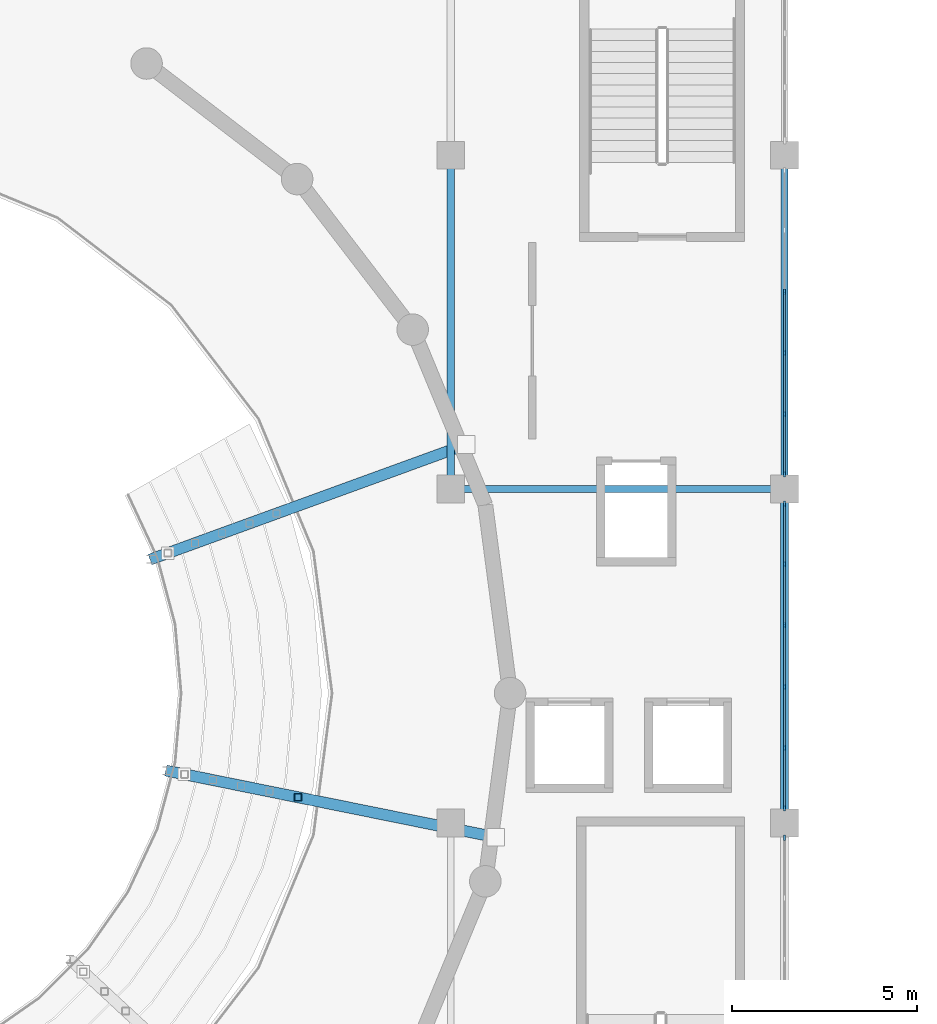
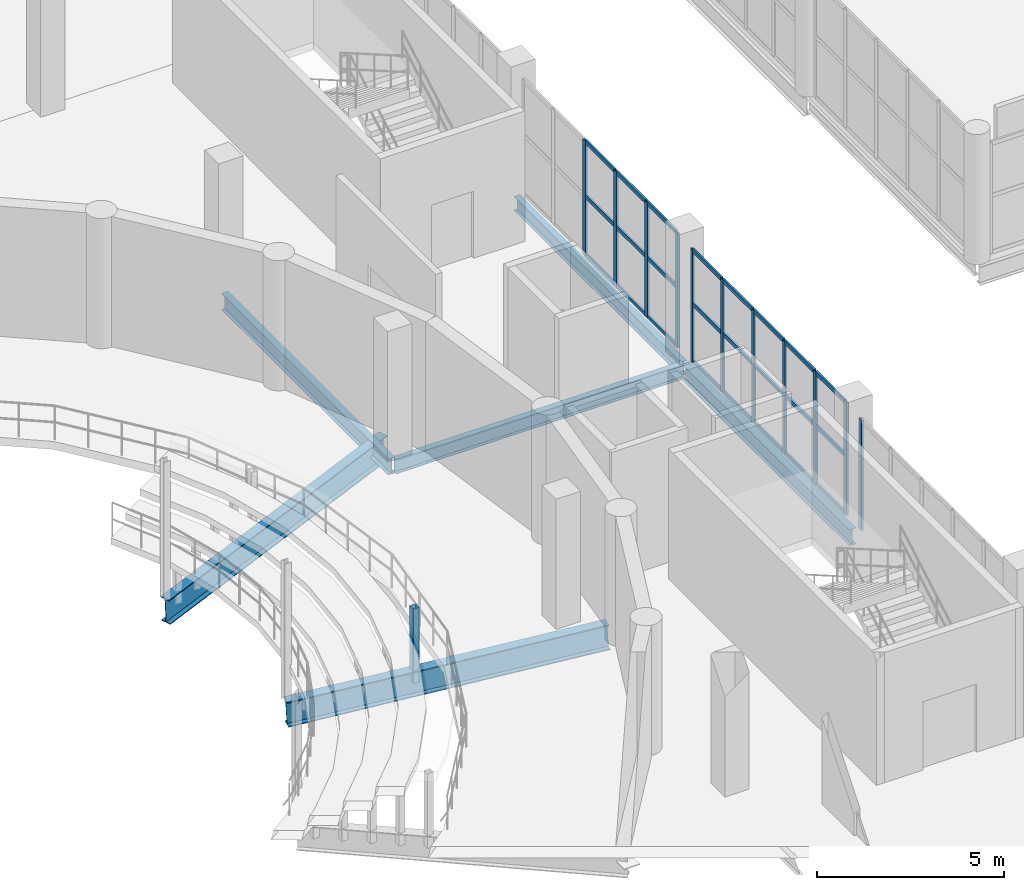
# One storey, part 36 of 85: 36 members, 6 beams, 3 elements without a shape of their own.
"""IFC4 building model written with IfcOpenShell, lengths in metres."""

from ifc_helpers import new_model, si_unit, direction, frame, origin, origin_2d, place, context, subcontext, project, spatial, rectangle, hollow_rectangle, i_section, extrude, material, layer, layer_set, material_profile, profile_set, type_object, element, aggregate, save


model = new_model("IFC4")

# Units and contexts
model_context = context("Model", 3, precision=1e-05, world=origin(), true_north=direction((0.0, 1.0)))
body_context = subcontext(model_context, "Body", "Model", "MODEL_VIEW")
ifc_project = project(units=[si_unit("LENGTHUNIT", "METRE"), si_unit("AREAUNIT", "SQUARE_METRE"), si_unit("VOLUMEUNIT", "CUBIC_METRE"), si_unit("PLANEANGLEUNIT", "RADIAN"), si_unit("MASSUNIT", "GRAM", prefix="KILO")], contexts=[model_context])

# Site, building, storey
site_placement = place(None, origin())
site = spatial("IfcSite", under=ifc_project, at=site_placement, CompositionType="ELEMENT")
building_placement = place(site_placement, origin())
building = spatial("IfcBuilding", under=site, at=building_placement, Name="Marnock Terrace Opera House", CompositionType="ELEMENT")
storey_placement = place(building_placement, frame((0.0, 0.0, 10.199951171875)))
storey = spatial("IfcBuildingStorey", under=building, at=storey_placement, Name="L02", CompositionType="ELEMENT", Elevation=10.199951171875)

# Beams
ifc_material_1 = material(Name="Steel Grade 350 (AS/NZS 3679.1)", Category="steel")
ifc_material_profile_1 = material_profile(ifc_material_1, i_section(OverallWidth=0.19091796875, OverallDepth=0.46044921875, WebThickness=0.010009765625, FlangeThickness=0.01611328125, FilletRadius=0.011474609375, at=origin_2d()))
ifc_profile_set_1 = profile_set([ifc_material_profile_1], Name="Steel Grade 350 (AS/NZS 3679.1)")
beam_type_1 = type_object("IfcBeamType", Name="BM-GIRD-460A", PredefinedType="BEAM", material=ifc_profile_set_1)
beam_1_placement = place(storey_placement, frame((100.050048828125, 66.0, -0.490234375), z_axis=(1.0, 0.0, 0.0), x_axis=(0.0, 1.0, 0.0)))
element("IfcBeam", 1, at=beam_1_placement, inside=storey, type_object=beam_type_1, Name="L02 girder (100.0..109.0, Y=66.0)", PredefinedType="BEAM", context=body_context, shape_type="SweptSolid", body=[
    extrude(i_section(OverallWidth=0.19091796875, OverallDepth=0.46044921875, WebThickness=0.010009765625, FlangeThickness=0.01611328125, FilletRadius=0.011474609375, at=origin_2d()), origin(), (0.0, 0.0, 1.0), 8.89990234375),
])
ifc_material_profile_2 = material_profile(ifc_material_1, i_section(OverallWidth=0.18994140625, OverallDepth=0.45751953125, WebThickness=0.009033203125, FlangeThickness=0.014404296875, FilletRadius=0.011474609375, at=origin_2d()))
ifc_profile_set_2 = profile_set([ifc_material_profile_2], Name="Steel Grade 350 (AS/NZS 3679.1)")
beam_type_2 = type_object("IfcBeamType", Name="BM-GIRD-460B", PredefinedType="BEAM", material=ifc_profile_set_2)
beam_2_placement = place(storey_placement, frame((109.0, 66.050048828125, -0.48876953125), z_axis=(0.0, 1.0, 0.0), x_axis=(-1.0, 0.0, 0.0)))
element("IfcBeam", 2, at=beam_2_placement, inside=storey, type_object=beam_type_2, Name="L02 girder (X=109.0, 66.0..75.0)", PredefinedType="BEAM", context=body_context, shape_type="SweptSolid", body=[
    extrude(i_section(OverallWidth=0.18994140625, OverallDepth=0.45751953125, WebThickness=0.009033203125, FlangeThickness=0.014404296875, FilletRadius=0.011474609375, at=origin_2d()), origin(), (0.0, 0.0, 1.0), 8.89990234375),
])
ifc_material_profile_3 = material_profile(ifc_material_1, i_section(OverallWidth=0.208984375, OverallDepth=0.528076171875, WebThickness=0.009521484375, FlangeThickness=0.01318359375, FilletRadius=0.013916015625, at=origin_2d()))
ifc_profile_set_3 = profile_set([ifc_material_profile_3], Name="Steel Grade 350 (AS/NZS 3679.1)")
beam_type_3 = type_object("IfcBeamType", Name="BM-GIRD-530B", PredefinedType="BEAM", material=ifc_profile_set_3)
for number, where, z_axis, x_axis, name in (
    (3, (100.0, 66.050048828125, -0.52392578125), (0.0, 1.0, 0.0), (-1.0, 0.0, 0.0), "L02 girder (X=100.0, 66.0..75.0)"),
    (4, (109.0, 57.050048828125, -0.52392578125), (0.0, 1.0, 0.0), (-1.0, 0.0, 0.0), "L02 girder (X=109.0, 57.0..66.0)"),
):
    element("IfcBeam", number, at=place(storey_placement, frame(where, z_axis=z_axis, x_axis=x_axis)), inside=storey, type_object=beam_type_3, Name=name, PredefinedType="BEAM", context=body_context, shape_type="SweptSolid", body=[
        extrude(i_section(OverallWidth=0.208984375, OverallDepth=0.528076171875, WebThickness=0.009521484375, FlangeThickness=0.01318359375, FilletRadius=0.013916015625, at=origin_2d()), origin(), (0.0, 0.0, 1.0), 8.89990234375),
    ])
ifc_material_2 = material(Name="Steel Grade 350 Welded (AS/NZS 3679.2)", Category="steel")
ifc_material_profile_4 = material_profile(ifc_material_2, i_section(OverallWidth=0.300048828125, OverallDepth=0.81591796875, WebThickness=0.013916015625, FlangeThickness=0.028076171875, at=origin_2d()))
ifc_profile_set_4 = profile_set([ifc_material_profile_4], Name="Steel Grade 350 Welded (AS/NZS 3679.2)")
beam_type_4 = type_object("IfcBeamType", Name="BM-RAKER-800", PredefinedType="BEAM", material=ifc_profile_set_4)
beam_3_placement = place(storey_placement, frame((92.3408203125, 58.40966796875, -1.218017578125), z_axis=(0.978614945489, -0.197856150976, 0.056264837924), x_axis=(0.198170076298, 0.980167649364, 0.0)))
element("IfcBeam", 5, at=beam_3_placement, inside=storey, type_object=beam_type_4, Name="L02 Auditorium raker girder 7", PredefinedType="BEAM", context=body_context, shape_type="SweptSolid", body=[
    extrude(i_section(OverallWidth=0.300048828125, OverallDepth=0.81591796875, WebThickness=0.013916015625, FlangeThickness=0.028076171875, at=origin_2d()), origin(), (0.0, 0.0, 1.0), 9.064453125),
])
beam_4_placement = place(storey_placement, frame((91.913818359375, 64.1083984375, -1.218017578125), z_axis=(0.938205492565, 0.341474154817, 0.056265933855), x_axis=(-0.342015970523, 0.939694139551, 0.0)))
element("IfcBeam", 6, at=beam_4_placement, inside=storey, type_object=beam_type_4, Name="L02 Auditorium raker girder 8", PredefinedType="BEAM", context=body_context, shape_type="SweptSolid", body=[
    extrude(i_section(OverallWidth=0.300048828125, OverallDepth=0.81591796875, WebThickness=0.013916015625, FlangeThickness=0.028076171875, at=origin_2d()), origin(), (0.0, 0.0, 1.0), 9.064208984375),
])

# Curtain wall, member
ifc_material_3 = material(Name="Anodised architectural bronze aluminium framing", Category="aluminium")
ifc_layer = layer(ifc_material_3, 0.159912109375)
ifc_layer_set = layer_set([ifc_layer], Name="Anodised architectural bronze aluminium framing")
curtain_wall_type = type_object("IfcCurtainWallType", Name="CW-FOYER-90x42", PredefinedType="NOTDEFINED", material=ifc_layer_set)
curtain_wall_1_placement = place(storey_placement, origin())
curtain_wall_1 = element("IfcCurtainWall", 7, at=curtain_wall_1_placement, inside=storey, type_object=curtain_wall_type, Name="L02 glazed Beaux-Arts colonnade curtain wall CW-V1E-L02-06", PredefinedType="NOTDEFINED")
ifc_material_profile_5 = material_profile(ifc_material_3, rectangle(XDim=0.06005859375, YDim=0.14990234375, at=origin_2d()))
ifc_profile_set_5 = profile_set([ifc_material_profile_5], Name="Anodised architectural bronze aluminium framing")
member_type_1 = type_object("IfcMemberType", Name="CWM-60x150", PredefinedType="MULLION", material=ifc_profile_set_5)
member_1_placement = place(storey_placement, frame((109.0, 56.59912109375, 0.0), z_axis=(0.0, 0.0, 1.0), x_axis=(-1.0, 0.0, 0.0)))
member_1 = element("IfcMember", 8, at=member_1_placement, type_object=member_type_1, Name="CW-68 mullion 6", PredefinedType="MULLION", context=body_context, shape_type="SweptSolid", body=[
    extrude(rectangle(XDim=0.06005859375, YDim=0.14990234375, at=origin_2d()), origin(), (0.0, 0.0, 1.0), 3.608154296875),
])
aggregate(curtain_wall_1, [member_1])

# Curtain wall, members
curtain_wall_2_placement = place(storey_placement, origin())
curtain_wall_2 = element("IfcCurtainWall", 9, at=curtain_wall_2_placement, inside=storey, type_object=curtain_wall_type, Name="L02 glazed Beaux-Arts colonnade curtain wall CW-V1E-L02-07", PredefinedType="NOTDEFINED")
member_2_placement = place(storey_placement, frame((109.0, 57.40087890625, 0.0), z_axis=(0.0, 0.0, 1.0), x_axis=(-1.0, 0.0, 0.0)))
member_2 = element("IfcMember", 10, at=member_2_placement, type_object=member_type_1, Name="CW-68 mullion 1", PredefinedType="MULLION", context=body_context, shape_type="SweptSolid", body=[
    extrude(rectangle(XDim=0.06005859375, YDim=0.14990234375, at=origin_2d()), origin(), (0.0, 0.0, 1.0), 3.68212890625),
])
member_3_placement = place(storey_placement, frame((109.0, 59.022705078125, 0.0), z_axis=(0.0, 0.0, 1.0), x_axis=(-1.0, 0.0, 0.0)))
member_3 = element("IfcMember", 11, at=member_3_placement, type_object=member_type_1, Name="CW-68 mullion 2", PredefinedType="MULLION", context=body_context, shape_type="SweptSolid", body=[
    extrude(rectangle(XDim=0.06005859375, YDim=0.14990234375, at=origin_2d()), origin(), (0.0, 0.0, 1.0), 3.68212890625),
])
member_4_placement = place(storey_placement, frame((109.0, 60.67431640625, 0.0), z_axis=(0.0, 0.0, 1.0), x_axis=(-1.0, 0.0, 0.0)))
member_4 = element("IfcMember", 12, at=member_4_placement, type_object=member_type_1, Name="CW-68 mullion 3", PredefinedType="MULLION", context=body_context, shape_type="SweptSolid", body=[
    extrude(rectangle(XDim=0.06005859375, YDim=0.14990234375, at=origin_2d()), origin(), (0.0, 0.0, 1.0), 3.68212890625),
])
member_5_placement = place(storey_placement, frame((109.0, 62.32568359375, 0.0), z_axis=(0.0, 0.0, 1.0), x_axis=(-1.0, 0.0, 0.0)))
member_5 = element("IfcMember", 13, at=member_5_placement, type_object=member_type_1, Name="CW-68 mullion 4", PredefinedType="MULLION", context=body_context, shape_type="SweptSolid", body=[
    extrude(rectangle(XDim=0.06005859375, YDim=0.14990234375, at=origin_2d()), origin(), (0.0, 0.0, 1.0), 3.68212890625),
])
member_6_placement = place(storey_placement, frame((109.0, 63.977294921875, 0.0), z_axis=(0.0, 0.0, 1.0), x_axis=(-1.0, 0.0, 0.0)))
member_6 = element("IfcMember", 14, at=member_6_placement, type_object=member_type_1, Name="CW-68 mullion 5", PredefinedType="MULLION", context=body_context, shape_type="SweptSolid", body=[
    extrude(rectangle(XDim=0.06005859375, YDim=0.14990234375, at=origin_2d()), origin(), (0.0, 0.0, 1.0), 3.68212890625),
])
member_7_placement = place(storey_placement, frame((109.0, 65.59912109375, 0.0), z_axis=(0.0, 0.0, 1.0), x_axis=(-1.0, 0.0, 0.0)))
member_7 = element("IfcMember", 15, at=member_7_placement, type_object=member_type_1, Name="CW-68 mullion 6", PredefinedType="MULLION", context=body_context, shape_type="SweptSolid", body=[
    extrude(rectangle(XDim=0.06005859375, YDim=0.14990234375, at=origin_2d()), origin(), (0.0, 0.0, 1.0), 3.68212890625),
])

curtain_wall_3_placement = place(storey_placement, origin())
curtain_wall_3 = element("IfcCurtainWall", 16, at=curtain_wall_3_placement, inside=storey, type_object=curtain_wall_type, Name="L02 glazed Beaux-Arts colonnade curtain wall CW-V1E-L02-08", PredefinedType="NOTDEFINED")
member_8_placement = place(storey_placement, frame((109.0, 66.40087890625, 0.0), z_axis=(0.0, 0.0, 1.0), x_axis=(-1.0, 0.0, 0.0)))
member_8 = element("IfcMember", 17, at=member_8_placement, type_object=member_type_1, Name="CW-68 mullion 1", PredefinedType="MULLION", context=body_context, shape_type="SweptSolid", body=[
    extrude(rectangle(XDim=0.06005859375, YDim=0.14990234375, at=origin_2d()), origin(), (0.0, 0.0, 1.0), 3.752685546875),
])
member_9_placement = place(storey_placement, frame((109.0, 68.022705078125, 0.0), z_axis=(0.0, 0.0, 1.0), x_axis=(-1.0, 0.0, 0.0)))
member_9 = element("IfcMember", 18, at=member_9_placement, type_object=member_type_1, Name="CW-68 mullion 2", PredefinedType="MULLION", context=body_context, shape_type="SweptSolid", body=[
    extrude(rectangle(XDim=0.06005859375, YDim=0.14990234375, at=origin_2d()), origin(), (0.0, 0.0, 1.0), 3.752685546875),
])
member_10_placement = place(storey_placement, frame((109.0, 69.67431640625, 0.0), z_axis=(0.0, 0.0, 1.0), x_axis=(-1.0, 0.0, 0.0)))
member_10 = element("IfcMember", 19, at=member_10_placement, type_object=member_type_1, Name="CW-68 mullion 3", PredefinedType="MULLION", context=body_context, shape_type="SweptSolid", body=[
    extrude(rectangle(XDim=0.06005859375, YDim=0.14990234375, at=origin_2d()), origin(), (0.0, 0.0, 1.0), 3.752685546875),
])
member_11_placement = place(storey_placement, frame((109.0, 71.32568359375, 0.0), z_axis=(0.0, 0.0, 1.0), x_axis=(-1.0, 0.0, 0.0)))
member_11 = element("IfcMember", 20, at=member_11_placement, type_object=member_type_1, Name="CW-68 mullion 4", PredefinedType="MULLION", context=body_context, shape_type="SweptSolid", body=[
    extrude(rectangle(XDim=0.06005859375, YDim=0.14990234375, at=origin_2d()), origin(), (0.0, 0.0, 1.0), 3.752685546875),
])

# Member
ifc_material_profile_6 = material_profile(ifc_material_3, rectangle(XDim=0.06005859375, YDim=0.1298828125, at=origin_2d()))
ifc_profile_set_6 = profile_set([ifc_material_profile_6], Name="Anodised architectural bronze aluminium framing")
member_type_2 = type_object("IfcMemberType", Name="CWT-60x130", PredefinedType="USERDEFINED", material=ifc_profile_set_6)
member_12_placement = place(storey_placement, frame((109.0, 57.430908203125, 0.030029296875), z_axis=(0.0, 1.0, 0.0), x_axis=(-1.0, 0.0, 0.0)))
member_12 = element("IfcMember", 21, at=member_12_placement, type_object=member_type_2, Name="CW-68 transom 1.1", ObjectType="TRANSOM", PredefinedType="USERDEFINED", context=body_context, shape_type="SweptSolid", body=[
    extrude(rectangle(XDim=0.06005859375, YDim=0.1298828125, at=origin_2d()), origin(), (0.0, 0.0, 1.0), 1.561767578125),
])

member_13_placement = place(storey_placement, frame((109.0, 57.430908203125, 1.91455078125), z_axis=(0.0, 1.0, 0.0), x_axis=(-1.0, 0.0, 0.0)))
member_13 = element("IfcMember", 22, at=member_13_placement, type_object=member_type_2, Name="CW-68 transom 1.2", ObjectType="TRANSOM", PredefinedType="USERDEFINED", context=body_context, shape_type="SweptSolid", body=[
    extrude(rectangle(XDim=0.06005859375, YDim=0.1298828125, at=origin_2d()), origin(), (0.0, 0.0, 1.0), 1.561767578125),
])

member_14_placement = place(storey_placement, frame((109.0, 57.430908203125, 3.652099609375), z_axis=(0.0, 1.0, 0.0), x_axis=(-1.0, 0.0, 0.0)))
member_14 = element("IfcMember", 23, at=member_14_placement, type_object=member_type_2, Name="CW-68 transom 1.3", ObjectType="TRANSOM", PredefinedType="USERDEFINED", context=body_context, shape_type="SweptSolid", body=[
    extrude(rectangle(XDim=0.06005859375, YDim=0.1298828125, at=origin_2d()), origin(), (0.0, 0.0, 1.0), 1.561767578125),
])

member_15_placement = place(storey_placement, frame((109.0, 59.052490234375, 0.030029296875), z_axis=(0.0, 1.0, 0.0), x_axis=(-1.0, 0.0, 0.0)))
member_15 = element("IfcMember", 24, at=member_15_placement, type_object=member_type_2, Name="CW-68 transom 2.1", ObjectType="TRANSOM", PredefinedType="USERDEFINED", context=body_context, shape_type="SweptSolid", body=[
    extrude(rectangle(XDim=0.06005859375, YDim=0.1298828125, at=origin_2d()), origin(), (0.0, 0.0, 1.0), 1.591796875),
])

member_16_placement = place(storey_placement, frame((109.0, 59.052490234375, 1.91455078125), z_axis=(0.0, 1.0, 0.0), x_axis=(-1.0, 0.0, 0.0)))
member_16 = element("IfcMember", 25, at=member_16_placement, type_object=member_type_2, Name="CW-68 transom 2.2", ObjectType="TRANSOM", PredefinedType="USERDEFINED", context=body_context, shape_type="SweptSolid", body=[
    extrude(rectangle(XDim=0.06005859375, YDim=0.1298828125, at=origin_2d()), origin(), (0.0, 0.0, 1.0), 1.591796875),
])

member_17_placement = place(storey_placement, frame((109.0, 59.052490234375, 3.652099609375), z_axis=(0.0, 1.0, 0.0), x_axis=(-1.0, 0.0, 0.0)))
member_17 = element("IfcMember", 26, at=member_17_placement, type_object=member_type_2, Name="CW-68 transom 2.3", ObjectType="TRANSOM", PredefinedType="USERDEFINED", context=body_context, shape_type="SweptSolid", body=[
    extrude(rectangle(XDim=0.06005859375, YDim=0.1298828125, at=origin_2d()), origin(), (0.0, 0.0, 1.0), 1.591796875),
])

member_18_placement = place(storey_placement, frame((109.0, 60.7041015625, 0.030029296875), z_axis=(0.0, 1.0, 0.0), x_axis=(-1.0, 0.0, 0.0)))
member_18 = element("IfcMember", 27, at=member_18_placement, type_object=member_type_2, Name="CW-68 transom 3.1", ObjectType="TRANSOM", PredefinedType="USERDEFINED", context=body_context, shape_type="SweptSolid", body=[
    extrude(rectangle(XDim=0.06005859375, YDim=0.1298828125, at=origin_2d()), origin(), (0.0, 0.0, 1.0), 1.591796875),
])

member_19_placement = place(storey_placement, frame((109.0, 60.7041015625, 1.91455078125), z_axis=(0.0, 1.0, 0.0), x_axis=(-1.0, 0.0, 0.0)))
member_19 = element("IfcMember", 28, at=member_19_placement, type_object=member_type_2, Name="CW-68 transom 3.2", ObjectType="TRANSOM", PredefinedType="USERDEFINED", context=body_context, shape_type="SweptSolid", body=[
    extrude(rectangle(XDim=0.06005859375, YDim=0.1298828125, at=origin_2d()), origin(), (0.0, 0.0, 1.0), 1.591796875),
])

member_20_placement = place(storey_placement, frame((109.0, 60.7041015625, 3.652099609375), z_axis=(0.0, 1.0, 0.0), x_axis=(-1.0, 0.0, 0.0)))
member_20 = element("IfcMember", 29, at=member_20_placement, type_object=member_type_2, Name="CW-68 transom 3.3", ObjectType="TRANSOM", PredefinedType="USERDEFINED", context=body_context, shape_type="SweptSolid", body=[
    extrude(rectangle(XDim=0.06005859375, YDim=0.1298828125, at=origin_2d()), origin(), (0.0, 0.0, 1.0), 1.591796875),
])

member_21_placement = place(storey_placement, frame((109.0, 62.355712890625, 0.030029296875), z_axis=(0.0, 1.0, 0.0), x_axis=(-1.0, 0.0, 0.0)))
member_21 = element("IfcMember", 30, at=member_21_placement, type_object=member_type_2, Name="CW-68 transom 4.1", ObjectType="TRANSOM", PredefinedType="USERDEFINED", context=body_context, shape_type="SweptSolid", body=[
    extrude(rectangle(XDim=0.06005859375, YDim=0.1298828125, at=origin_2d()), origin(), (0.0, 0.0, 1.0), 1.591796875),
])

member_22_placement = place(storey_placement, frame((109.0, 62.355712890625, 1.91455078125), z_axis=(0.0, 1.0, 0.0), x_axis=(-1.0, 0.0, 0.0)))
member_22 = element("IfcMember", 31, at=member_22_placement, type_object=member_type_2, Name="CW-68 transom 4.2", ObjectType="TRANSOM", PredefinedType="USERDEFINED", context=body_context, shape_type="SweptSolid", body=[
    extrude(rectangle(XDim=0.06005859375, YDim=0.1298828125, at=origin_2d()), origin(), (0.0, 0.0, 1.0), 1.591796875),
])

member_23_placement = place(storey_placement, frame((109.0, 62.355712890625, 3.652099609375), z_axis=(0.0, 1.0, 0.0), x_axis=(-1.0, 0.0, 0.0)))
member_23 = element("IfcMember", 32, at=member_23_placement, type_object=member_type_2, Name="CW-68 transom 4.3", ObjectType="TRANSOM", PredefinedType="USERDEFINED", context=body_context, shape_type="SweptSolid", body=[
    extrude(rectangle(XDim=0.06005859375, YDim=0.1298828125, at=origin_2d()), origin(), (0.0, 0.0, 1.0), 1.591796875),
])

member_24_placement = place(storey_placement, frame((109.0, 64.00732421875, 0.030029296875), z_axis=(0.0, 1.0, 0.0), x_axis=(-1.0, 0.0, 0.0)))
member_24 = element("IfcMember", 33, at=member_24_placement, type_object=member_type_2, Name="CW-68 transom 5.1", ObjectType="TRANSOM", PredefinedType="USERDEFINED", context=body_context, shape_type="SweptSolid", body=[
    extrude(rectangle(XDim=0.06005859375, YDim=0.1298828125, at=origin_2d()), origin(), (0.0, 0.0, 1.0), 1.561767578125),
])

member_25_placement = place(storey_placement, frame((109.0, 64.00732421875, 1.91455078125), z_axis=(0.0, 1.0, 0.0), x_axis=(-1.0, 0.0, 0.0)))
member_25 = element("IfcMember", 34, at=member_25_placement, type_object=member_type_2, Name="CW-68 transom 5.2", ObjectType="TRANSOM", PredefinedType="USERDEFINED", context=body_context, shape_type="SweptSolid", body=[
    extrude(rectangle(XDim=0.06005859375, YDim=0.1298828125, at=origin_2d()), origin(), (0.0, 0.0, 1.0), 1.561767578125),
])

member_26_placement = place(storey_placement, frame((109.0, 64.00732421875, 3.652099609375), z_axis=(0.0, 1.0, 0.0), x_axis=(-1.0, 0.0, 0.0)))
member_26 = element("IfcMember", 35, at=member_26_placement, type_object=member_type_2, Name="CW-68 transom 5.3", ObjectType="TRANSOM", PredefinedType="USERDEFINED", context=body_context, shape_type="SweptSolid", body=[
    extrude(rectangle(XDim=0.06005859375, YDim=0.1298828125, at=origin_2d()), origin(), (0.0, 0.0, 1.0), 1.561767578125),
])

aggregate(curtain_wall_2, [member_2, member_3, member_4, member_5, member_6, member_7, member_12, member_13, member_14, member_15, member_16, member_17, member_18, member_19, member_20, member_21, member_22, member_23, member_24, member_25, member_26])

member_27_placement = place(storey_placement, frame((109.0, 66.430908203125, 0.030029296875), z_axis=(0.0, 1.0, 0.0), x_axis=(-1.0, 0.0, 0.0)))
member_27 = element("IfcMember", 36, at=member_27_placement, type_object=member_type_2, Name="CW-68 transom 1.1", ObjectType="TRANSOM", PredefinedType="USERDEFINED", context=body_context, shape_type="SweptSolid", body=[
    extrude(rectangle(XDim=0.06005859375, YDim=0.1298828125, at=origin_2d()), origin(), (0.0, 0.0, 1.0), 1.561767578125),
])

member_28_placement = place(storey_placement, frame((109.0, 66.430908203125, 1.951416015625), z_axis=(0.0, 1.0, 0.0), x_axis=(-1.0, 0.0, 0.0)))
member_28 = element("IfcMember", 37, at=member_28_placement, type_object=member_type_2, Name="CW-68 transom 1.2", ObjectType="TRANSOM", PredefinedType="USERDEFINED", context=body_context, shape_type="SweptSolid", body=[
    extrude(rectangle(XDim=0.06005859375, YDim=0.1298828125, at=origin_2d()), origin(), (0.0, 0.0, 1.0), 1.561767578125),
])

member_29_placement = place(storey_placement, frame((109.0, 66.430908203125, 3.72265625), z_axis=(0.0, 1.0, 0.0), x_axis=(-1.0, 0.0, 0.0)))
member_29 = element("IfcMember", 38, at=member_29_placement, type_object=member_type_2, Name="CW-68 transom 1.3", ObjectType="TRANSOM", PredefinedType="USERDEFINED", context=body_context, shape_type="SweptSolid", body=[
    extrude(rectangle(XDim=0.06005859375, YDim=0.1298828125, at=origin_2d()), origin(), (0.0, 0.0, 1.0), 1.561767578125),
])

member_30_placement = place(storey_placement, frame((109.0, 68.052490234375, 0.030029296875), z_axis=(0.0, 1.0, 0.0), x_axis=(-1.0, 0.0, 0.0)))
member_30 = element("IfcMember", 39, at=member_30_placement, type_object=member_type_2, Name="CW-68 transom 2.1", ObjectType="TRANSOM", PredefinedType="USERDEFINED", context=body_context, shape_type="SweptSolid", body=[
    extrude(rectangle(XDim=0.06005859375, YDim=0.1298828125, at=origin_2d()), origin(), (0.0, 0.0, 1.0), 1.591796875),
])

member_31_placement = place(storey_placement, frame((109.0, 68.052490234375, 1.951416015625), z_axis=(0.0, 1.0, 0.0), x_axis=(-1.0, 0.0, 0.0)))
member_31 = element("IfcMember", 40, at=member_31_placement, type_object=member_type_2, Name="CW-68 transom 2.2", ObjectType="TRANSOM", PredefinedType="USERDEFINED", context=body_context, shape_type="SweptSolid", body=[
    extrude(rectangle(XDim=0.06005859375, YDim=0.1298828125, at=origin_2d()), origin(), (0.0, 0.0, 1.0), 1.591796875),
])

member_32_placement = place(storey_placement, frame((109.0, 68.052490234375, 3.72265625), z_axis=(0.0, 1.0, 0.0), x_axis=(-1.0, 0.0, 0.0)))
member_32 = element("IfcMember", 41, at=member_32_placement, type_object=member_type_2, Name="CW-68 transom 2.3", ObjectType="TRANSOM", PredefinedType="USERDEFINED", context=body_context, shape_type="SweptSolid", body=[
    extrude(rectangle(XDim=0.06005859375, YDim=0.1298828125, at=origin_2d()), origin(), (0.0, 0.0, 1.0), 1.591796875),
])

member_33_placement = place(storey_placement, frame((109.0, 69.7041015625, 0.030029296875), z_axis=(0.0, 1.0, 0.0), x_axis=(-1.0, 0.0, 0.0)))
member_33 = element("IfcMember", 42, at=member_33_placement, type_object=member_type_2, Name="CW-68 transom 3.1", ObjectType="TRANSOM", PredefinedType="USERDEFINED", context=body_context, shape_type="SweptSolid", body=[
    extrude(rectangle(XDim=0.06005859375, YDim=0.1298828125, at=origin_2d()), origin(), (0.0, 0.0, 1.0), 1.591796875),
])

member_34_placement = place(storey_placement, frame((109.0, 69.7041015625, 1.951416015625), z_axis=(0.0, 1.0, 0.0), x_axis=(-1.0, 0.0, 0.0)))
member_34 = element("IfcMember", 43, at=member_34_placement, type_object=member_type_2, Name="CW-68 transom 3.2", ObjectType="TRANSOM", PredefinedType="USERDEFINED", context=body_context, shape_type="SweptSolid", body=[
    extrude(rectangle(XDim=0.06005859375, YDim=0.1298828125, at=origin_2d()), origin(), (0.0, 0.0, 1.0), 1.591796875),
])

member_35_placement = place(storey_placement, frame((109.0, 69.7041015625, 3.72265625), z_axis=(0.0, 1.0, 0.0), x_axis=(-1.0, 0.0, 0.0)))
member_35 = element("IfcMember", 44, at=member_35_placement, type_object=member_type_2, Name="CW-68 transom 3.3", ObjectType="TRANSOM", PredefinedType="USERDEFINED", context=body_context, shape_type="SweptSolid", body=[
    extrude(rectangle(XDim=0.06005859375, YDim=0.1298828125, at=origin_2d()), origin(), (0.0, 0.0, 1.0), 1.591796875),
])

aggregate(curtain_wall_3, [member_8, member_9, member_10, member_11, member_27, member_28, member_29, member_30, member_31, member_32, member_33, member_34, member_35])

ifc_material_4 = material(Name="Cold-formed Steel Grade C350L0 (AS/NZS 1163)", Category="steel")
ifc_material_profile_7 = material_profile(ifc_material_4, hollow_rectangle(XDim=0.199951171875, YDim=0.199951171875, WallThickness=0.009033203125, InnerFilletRadius=0.009033203125, OuterFilletRadius=0.01806640625, at=origin_2d()))
ifc_profile_set_7 = profile_set([ifc_material_profile_7], Name="Cold-formed Steel Grade C350L0 (AS/NZS 1163)")
member_type_3 = type_object("IfcMemberType", Name="MEM-TRUSS-WEB2", PredefinedType="BRACE", material=ifc_profile_set_7)
member_36_placement = place(storey_placement, frame((95.879150390625, 57.6943359375, -1.0146484375), z_axis=(0.0, 0.0, 1.0), x_axis=(1.0, 0.0, 0.0)))
element("IfcMember", 45, at=member_36_placement, inside=storey, type_object=member_type_3, Name="L02 Auditorium tier support post 7.5", PredefinedType="BRACE", context=body_context, shape_type="SweptSolid", body=[
    extrude(hollow_rectangle(XDim=0.199951171875, YDim=0.199951171875, WallThickness=0.009033203125, InnerFilletRadius=0.009033203125, OuterFilletRadius=0.01806640625, at=origin_2d()), origin(), (0.0, 0.0, 1.0), 2.4296875),
])

save(model, "model.ifc")
